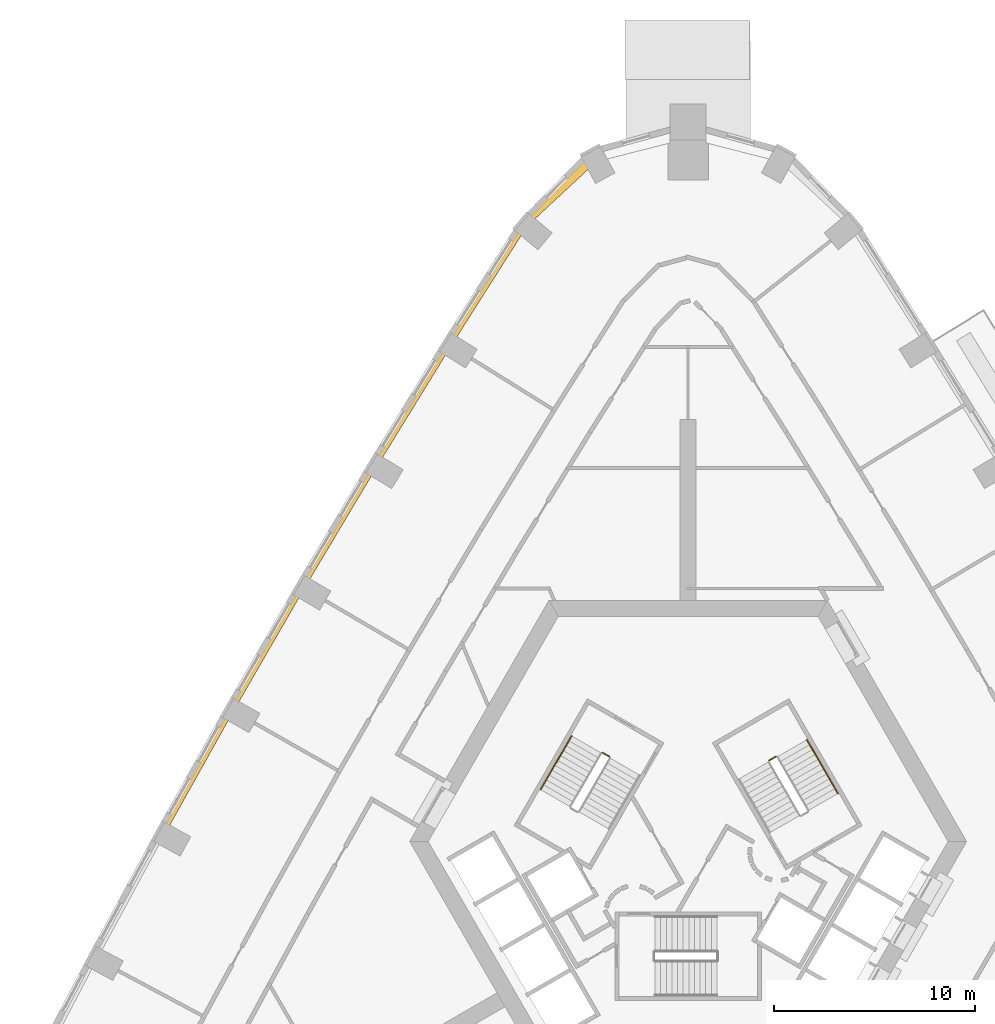
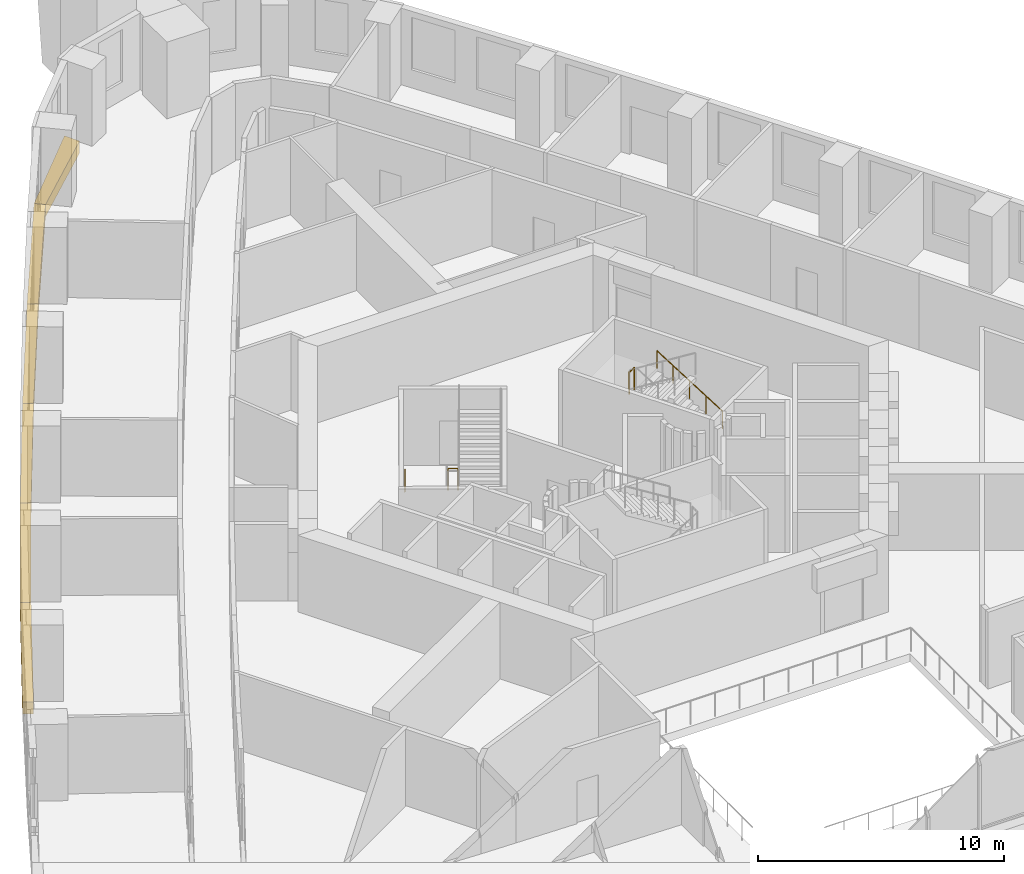
# One storey, part 14 of 15: 6 coverings, 4 railings.
"""IFC4 building model written with IfcOpenShell, lengths in metres."""

from ifc_helpers import new_model, si_unit, direction, frame, origin, origin_2d, place, context, subcontext, project, spatial, polyline, circle, outline, extrude, material, type_object, element, save


model = new_model("IFC4")

# Units and contexts
model_context = context("Model", 3, precision=1e-05, world=origin(), true_north=direction((0.0, 1.0)))
body_context = subcontext(model_context, "Body", "Model", "MODEL_VIEW")
ifc_project = project(units=[si_unit("LENGTHUNIT", "METRE"), si_unit("AREAUNIT", "SQUARE_METRE"), si_unit("VOLUMEUNIT", "CUBIC_METRE"), si_unit("PLANEANGLEUNIT", "RADIAN"), si_unit("MASSUNIT", "GRAM", prefix="KILO")], contexts=[model_context])

# Site, building, storey
site_placement = place(None, origin())
site = spatial("IfcSite", under=ifc_project, at=site_placement, CompositionType="ELEMENT")
building_placement = place(site_placement, origin())
building = spatial("IfcBuilding", under=site, at=building_placement, Name="Entoto Arch Interchange Tower", CompositionType="ELEMENT")
storey_placement = place(building_placement, frame((0.0, 0.0, 150.800048828125)))
storey = spatial("IfcBuildingStorey", under=building, at=storey_placement, Name="L33", CompositionType="ELEMENT", Elevation=150.800048828125)

# Coverings
ifc_material_1 = material(Name="Board-marked precast concrete C50/60", Category="concrete")
covering_type = type_object("IfcCoveringType", Name="PRECAST LEDGE COURSE", PredefinedType="CLADDING", material=ifc_material_1)
covering_1_placement = place(storey_placement, frame((0.0, 0.0, -1.0)))
element("IfcCovering", 1, at=covering_1_placement, inside=storey, type_object=covering_type, Name="Precast course N-04 L33", PredefinedType="CLADDING", context=body_context, shape_type="SweptSolid", body=[
    extrude(outline(polyline([(-8.02099609375, 33.115966796875), (-8.386962890625, 33.419921875), (-4.9140625, 36.958984375), (-4.569091796875, 36.326904296875), (-8.02099609375, 33.115966796875)])), origin(), (0.0, 0.0, 1.0), 0.599853515625),
])
covering_2_placement = place(storey_placement, frame((0.0, 0.0, -1.0)))
element("IfcCovering", 2, at=covering_2_placement, inside=storey, type_object=covering_type, Name="Precast course NW-01 L33", PredefinedType="CLADDING", context=body_context, shape_type="SweptSolid", body=[
    extrude(outline(polyline([(-11.7958984375, 27.160888671875), (-12.18798828125, 27.405029296875), (-8.386962890625, 33.419921875), (-8.02099609375, 33.115966796875), (-11.7958984375, 27.160888671875)])), origin(), (0.0, 0.0, 1.0), 0.599853515625),
])
covering_3_placement = place(storey_placement, frame((0.0, 0.0, -1.0)))
element("IfcCovering", 3, at=covering_3_placement, inside=storey, type_object=covering_type, Name="Precast course NW-02 L33", PredefinedType="CLADDING", context=body_context, shape_type="SweptSolid", body=[
    extrude(outline(polyline([(-15.489013671875, 21.154052734375), (-15.876953125, 21.388916015625), (-12.18798828125, 27.405029296875), (-11.7958984375, 27.160888671875), (-15.489013671875, 21.154052734375)])), origin(), (0.0, 0.0, 1.0), 0.599853515625),
])
covering_4_placement = place(storey_placement, frame((0.0, 0.0, -1.0)))
element("IfcCovering", 4, at=covering_4_placement, inside=storey, type_object=covering_type, Name="Precast course NW-03 L33", PredefinedType="CLADDING", context=body_context, shape_type="SweptSolid", body=[
    extrude(outline(polyline([(-19.097900390625, 15.096923828125), (-19.486083984375, 15.324951171875), (-15.876953125, 21.388916015625), (-15.489013671875, 21.154052734375), (-19.097900390625, 15.096923828125)])), origin(), (0.0, 0.0, 1.0), 0.599853515625),
])
covering_5_placement = place(storey_placement, frame((0.0, 0.0, -1.0)))
element("IfcCovering", 5, at=covering_5_placement, inside=storey, type_object=covering_type, Name="Precast course NW-04 L33", PredefinedType="CLADDING", context=body_context, shape_type="SweptSolid", body=[
    extrude(outline(polyline([(-22.623046875, 8.990966796875), (-23.014892578125, 9.214111328125), (-19.486083984375, 15.324951171875), (-19.097900390625, 15.096923828125), (-22.623046875, 8.990966796875)])), origin(), (0.0, 0.0, 1.0), 0.599853515625),
])
covering_6_placement = place(storey_placement, frame((0.0, 0.0, -1.0)))
element("IfcCovering", 6, at=covering_6_placement, inside=storey, type_object=covering_type, Name="Precast course NW-05 L33", PredefinedType="CLADDING", context=body_context, shape_type="SweptSolid", body=[
    extrude(outline(polyline([(-26.06396484375, 2.8369140625), (-26.4619140625, 3.055908203125), (-23.014892578125, 9.214111328125), (-22.623046875, 8.990966796875), (-26.06396484375, 2.8369140625)])), origin(), (0.0, 0.0, 1.0), 0.599853515625),
])

# Railings
ifc_material_2 = material(Name="Stainless steel 1.4301", Category="steel")
railing_type_1 = type_object("IfcRailingType", Name="STAIR GUARD 1100 STEEL", PredefinedType="GUARDRAIL", material=ifc_material_2)
railing_1_placement = place(storey_placement, frame((4.36962890625, 6.731689453125, 2.099853515625)))
element("IfcRailing", 7, at=railing_1_placement, inside=storey, type_object=railing_type_1, Name="L33 ST-NE stair guard 2", PredefinedType="GUARDRAIL", context=body_context, shape_type="SweptSolid", body=[
    extrude(circle(Radius=0.02392578125, at=origin_2d()), frame((0.0, 0.0, 1.076171875), z_axis=(-0.866094119867, -0.499880961361, 0.0), x_axis=(0.499880961361, -0.866094119867, 0.0)), (0.0, 0.0, 1.0), 0.39990234375),
    extrude(circle(Radius=0.02099609375, at=origin_2d()), origin(), (0.0, 0.0, 1.0), 1.052001953125),
    extrude(circle(Radius=0.02099609375, at=origin_2d()), frame((-0.346435546875, -0.199951171875, 0.0)), (0.0, 0.0, 1.0), 1.052001953125),
])
railing_2_placement = place(storey_placement, frame((-4.259521484375, 6.92236328125, 0.0)))
element("IfcRailing", 8, at=railing_2_placement, inside=storey, type_object=railing_type_1, Name="L33 ST-NW stair guard 4", PredefinedType="GUARDRAIL", context=body_context, shape_type="SweptSolid", body=[
    extrude(circle(Radius=0.02392578125, at=origin_2d()), frame((0.0, 0.0, 1.076171875), z_axis=(0.865829829939, -0.500338590944, 0.0), x_axis=(0.500338590944, 0.865829829939, 0.0)), (0.0, 0.0, 1.0), 0.400146484375),
    extrude(circle(Radius=0.02099609375, at=origin_2d()), origin(), (0.0, 0.0, 1.0), 1.052001953125),
    extrude(circle(Radius=0.02099609375, at=origin_2d()), frame((0.346435546875, -0.2001953125, 0.0)), (0.0, 0.0, 1.0), 1.052001953125),
])
railing_type_2 = type_object("IfcRailingType", Name="STAIR HANDRAIL 900 STEEL", PredefinedType="HANDRAIL", material=ifc_material_2)
railing_3_placement = place(storey_placement, frame((7.4501953125, 4.89599609375, 0.175048828125)))
element("IfcRailing", 9, at=railing_3_placement, inside=storey, type_object=railing_type_2, Name="L33 ST-NE stair handrail 1", PredefinedType="HANDRAIL", context=body_context, shape_type="SweptSolid", body=[
    extrude(circle(Radius=0.02392578125, at=origin_2d()), frame((0.0, 0.0, 0.8759765625), z_axis=(-0.424009578203, 0.734421155904, 0.529944755001), x_axis=(-0.866029832698, -0.499992328818, 0.0)), (0.0, 0.0, 1.0), 3.632080078125),
    extrude(circle(Radius=0.02099609375, at=origin_2d()), origin(), (0.0, 0.0, 1.0), 0.851806640625),
    extrude(circle(Radius=0.02099609375, at=origin_2d()), frame((-0.385009765625, 0.6669921875, 0.481201171875)), (0.0, 0.0, 1.0), 0.851806640625),
    extrude(circle(Radius=0.02099609375, at=origin_2d()), frame((-0.77001953125, 1.333740234375, 0.96240234375)), (0.0, 0.0, 1.0), 0.851806640625),
    extrude(circle(Radius=0.02099609375, at=origin_2d()), frame((-1.155029296875, 2.00048828125, 1.443603515625)), (0.0, 0.0, 1.0), 0.851806640625),
    extrude(circle(Radius=0.02099609375, at=origin_2d()), frame((-1.5400390625, 2.66748046875, 1.9248046875)), (0.0, 0.0, 1.0), 0.851806640625),
])
railing_4_placement = place(storey_placement, frame((-5.800048828125, 7.75390625, 0.175048828125)))
element("IfcRailing", 10, at=railing_4_placement, inside=storey, type_object=railing_type_2, Name="L33 ST-NW stair handrail 1", PredefinedType="HANDRAIL", context=body_context, shape_type="SweptSolid", body=[
    extrude(circle(Radius=0.02392578125, at=origin_2d()), frame((0.0, 0.0, 0.8759765625), z_axis=(-0.42403051051, -0.734390191396, 0.529970917068), x_axis=(0.866010015463, -0.500026652407, 0.0)), (0.0, 0.0, 1.0), 3.6318359375),
    extrude(circle(Radius=0.02099609375, at=origin_2d()), origin(), (0.0, 0.0, 1.0), 0.851806640625),
    extrude(circle(Radius=0.02099609375, at=origin_2d()), frame((-0.385009765625, -0.666748046875, 0.481201171875)), (0.0, 0.0, 1.0), 0.851806640625),
    extrude(circle(Radius=0.02099609375, at=origin_2d()), frame((-0.77001953125, -1.33349609375, 0.96240234375)), (0.0, 0.0, 1.0), 0.851806640625),
    extrude(circle(Radius=0.02099609375, at=origin_2d()), frame((-1.155029296875, -2.00048828125, 1.443603515625)), (0.0, 0.0, 1.0), 0.851806640625),
    extrude(circle(Radius=0.02099609375, at=origin_2d()), frame((-1.5400390625, -2.667236328125, 1.9248046875)), (0.0, 0.0, 1.0), 0.851806640625),
])

save(model, "model.ifc")
